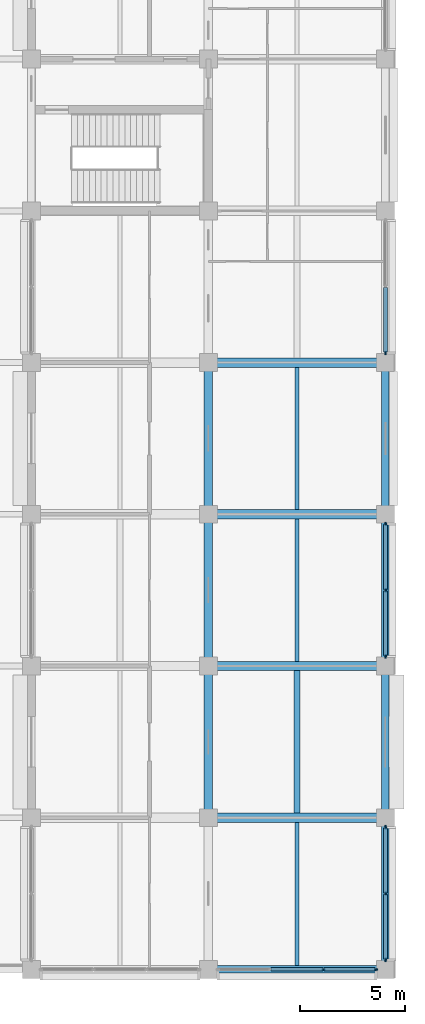
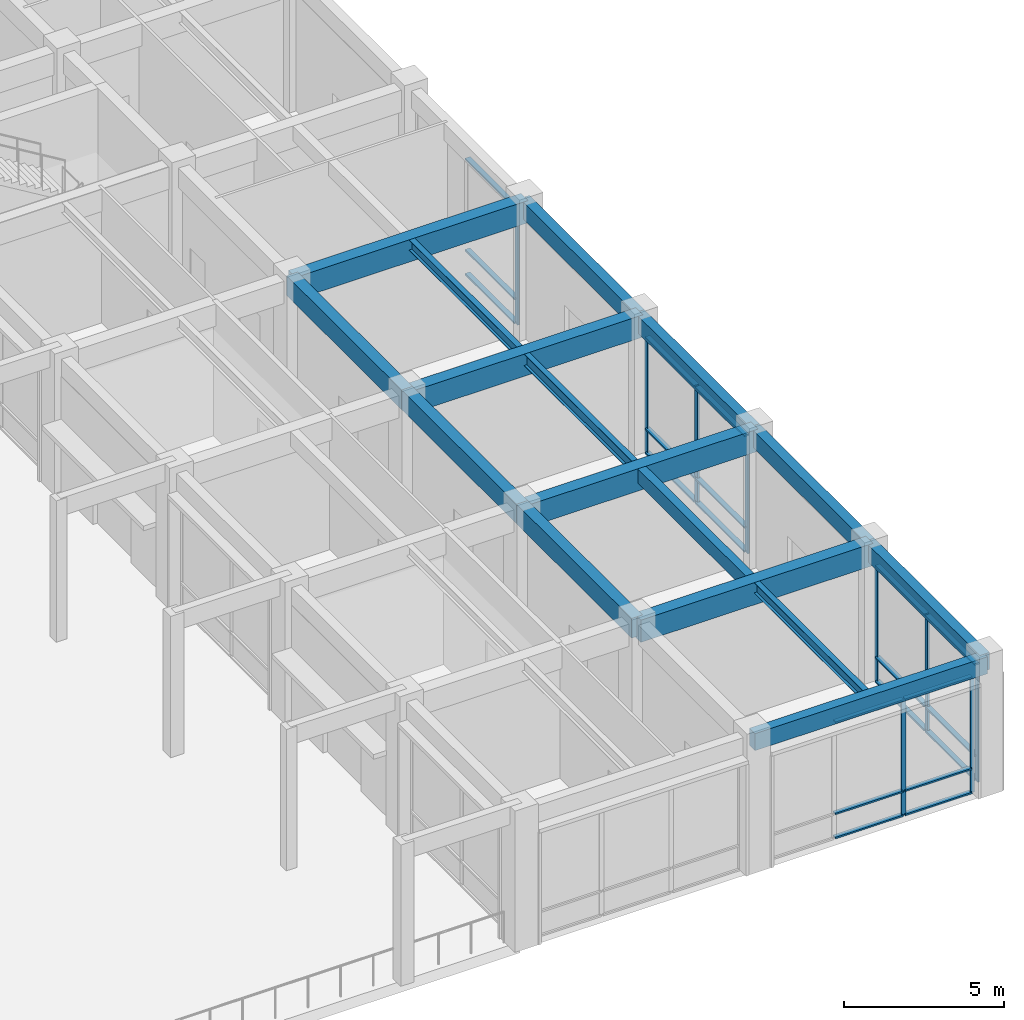
# One storey, part 25 of 73: 30 members, 16 beams, 4 elements without a shape of their own.
"""IFC4 building model written with IfcOpenShell, lengths in metres."""

from ifc_helpers import new_model, si_unit, direction, frame, origin, origin_2d, place, context, subcontext, project, spatial, rectangle, i_section, extrude, material, layer, layer_set, material_profile, profile_set, type_object, element, aggregate, save


model = new_model("IFC4")

# Units and contexts
model_context = context("Model", 3, precision=1e-05, world=origin(), true_north=direction((0.0, 1.0)))
body_context = subcontext(model_context, "Body", "Model", "MODEL_VIEW")
ifc_project = project(units=[si_unit("LENGTHUNIT", "METRE"), si_unit("AREAUNIT", "SQUARE_METRE"), si_unit("VOLUMEUNIT", "CUBIC_METRE"), si_unit("PLANEANGLEUNIT", "RADIAN"), si_unit("MASSUNIT", "GRAM", prefix="KILO")], contexts=[model_context])

# Site, building, storey
site_placement = place(None, origin())
site = spatial("IfcSite", under=ifc_project, at=site_placement, CompositionType="ELEMENT")
building_placement = place(site_placement, origin())
building = spatial("IfcBuilding", under=site, at=building_placement, Name="Chengyuan Square Courthouse", CompositionType="ELEMENT")
storey_placement = place(building_placement, origin())
storey = spatial("IfcBuildingStorey", under=building, at=storey_placement, Name="L01", CompositionType="ELEMENT", Elevation=0.0)

# Beams
ifc_material_1 = material(Name="Concrete C40", Category="concrete")
ifc_material_profile_1 = material_profile(ifc_material_1, rectangle(XDim=0.449951171875, YDim=0.85009765625, at=origin_2d()), Name="RC-BM-450x850")
ifc_profile_set_1 = profile_set([ifc_material_profile_1], Name="Concrete C40")
beam_type_1 = type_object("IfcBeamType", Name="BM-01", PredefinedType="USERDEFINED", material=ifc_profile_set_1)
for number, where, z_axis, x_axis, name in (
    (1, (159.60009765625, 7.199951171875, 4.695068359375), (1.0, 0.0, 0.0), (0.0, 1.0, 0.0), "Girder BM-L01-1648"),
    (2, (159.60009765625, 14.39990234375, 4.695068359375), (1.0, 0.0, 0.0), (0.0, 1.0, 0.0), "Girder BM-L01-1652"),
    (3, (159.60009765625, 21.60009765625, 4.695068359375), (1.0, 0.0, 0.0), (0.0, 1.0, 0.0), "Girder BM-L01-1656"),
    (4, (159.60009765625, 28.800048828125, 4.695068359375), (1.0, 0.0, 0.0), (0.0, 1.0, 0.0), "Girder BM-L01-1660"),
):
    element("IfcBeam", number, at=place(storey_placement, frame(where, z_axis=z_axis, x_axis=x_axis)), inside=storey, type_object=beam_type_1, Name=name, ObjectType="GIRDER", PredefinedType="USERDEFINED", context=body_context, shape_type="SweptSolid", body=[
        extrude(rectangle(XDim=0.449951171875, YDim=0.85009765625, at=origin_2d()), origin(), (0.0, 0.0, 1.0), 8.39990234375),
    ])
ifc_material_profile_2 = material_profile(ifc_material_1, rectangle(XDim=0.39990234375, YDim=0.75, at=origin_2d()), Name="RC-BM-400x750")
ifc_profile_set_2 = profile_set([ifc_material_profile_2], Name="Concrete C40")
beam_type_2 = type_object("IfcBeamType", Name="BM-02", PredefinedType="USERDEFINED", material=ifc_profile_set_2)
beam_1_placement = place(storey_placement, frame((159.60009765625, 7.199951171875, 4.7451171875), z_axis=(0.0, 1.0, 0.0), x_axis=(-1.0, 0.0, 0.0)))
element("IfcBeam", 5, at=beam_1_placement, inside=storey, type_object=beam_type_2, Name="Girder BM-L01-1928", ObjectType="GIRDER", PredefinedType="USERDEFINED", context=body_context, shape_type="SweptSolid", body=[
    extrude(rectangle(XDim=0.39990234375, YDim=0.75, at=origin_2d()), origin(), (0.0, 0.0, 1.0), 7.199951171875),
])
beam_2_placement = place(storey_placement, frame((159.60009765625, 14.39990234375, 4.7451171875), z_axis=(0.0, 1.0, 0.0), x_axis=(-1.0, 0.0, 0.0)))
element("IfcBeam", 6, at=beam_2_placement, inside=storey, type_object=beam_type_2, Name="Girder BM-L01-1929", ObjectType="GIRDER", PredefinedType="USERDEFINED", context=body_context, shape_type="SweptSolid", body=[
    extrude(rectangle(XDim=0.39990234375, YDim=0.75, at=origin_2d()), origin(), (0.0, 0.0, 1.0), 7.2001953125),
])
beam_3_placement = place(storey_placement, frame((159.60009765625, 21.60009765625, 4.7451171875), z_axis=(0.0, 1.0, 0.0), x_axis=(-1.0, 0.0, 0.0)))
element("IfcBeam", 7, at=beam_3_placement, inside=storey, type_object=beam_type_2, Name="Girder BM-L01-1930", ObjectType="GIRDER", PredefinedType="USERDEFINED", context=body_context, shape_type="SweptSolid", body=[
    extrude(rectangle(XDim=0.39990234375, YDim=0.75, at=origin_2d()), origin(), (0.0, 0.0, 1.0), 7.199951171875),
])
ifc_material_profile_3 = material_profile(ifc_material_1, rectangle(XDim=0.35009765625, YDim=0.64990234375, at=origin_2d()), Name="RC-BM-350x650")
ifc_profile_set_3 = profile_set([ifc_material_profile_3], Name="Concrete C40")
beam_type_3 = type_object("IfcBeamType", Name="BM-03", PredefinedType="SPANDREL", material=ifc_profile_set_3)
beam_4_placement = place(storey_placement, frame((159.60009765625, 0.0, 4.794921875), z_axis=(1.0, 0.0, 0.0), x_axis=(0.0, 1.0, 0.0)))
element("IfcBeam", 8, at=beam_4_placement, inside=storey, type_object=beam_type_3, Name="Girder BM-L01-1644", PredefinedType="SPANDREL", context=body_context, shape_type="SweptSolid", body=[
    extrude(rectangle(XDim=0.35009765625, YDim=0.64990234375, at=origin_2d()), origin(), (0.0, 0.0, 1.0), 8.39990234375),
])
for number, where, z_axis, x_axis, name in (
    (9, (168.0, 0.0, 4.794921875), (0.0, 1.0, 0.0), (-1.0, 0.0, 0.0), "Girder BM-L01-1942"),
    (10, (168.0, 7.199951171875, 4.794921875), (0.0, 1.0, 0.0), (-1.0, 0.0, 0.0), "Girder BM-L01-1943"),
):
    element("IfcBeam", number, at=place(storey_placement, frame(where, z_axis=z_axis, x_axis=x_axis)), inside=storey, type_object=beam_type_3, Name=name, PredefinedType="SPANDREL", context=body_context, shape_type="SweptSolid", body=[
        extrude(rectangle(XDim=0.35009765625, YDim=0.64990234375, at=origin_2d()), origin(), (0.0, 0.0, 1.0), 7.199951171875),
    ])
beam_5_placement = place(storey_placement, frame((168.0, 14.39990234375, 4.794921875), z_axis=(0.0, 1.0, 0.0), x_axis=(-1.0, 0.0, 0.0)))
element("IfcBeam", 11, at=beam_5_placement, inside=storey, type_object=beam_type_3, Name="Girder BM-L01-1944", PredefinedType="SPANDREL", context=body_context, shape_type="SweptSolid", body=[
    extrude(rectangle(XDim=0.35009765625, YDim=0.64990234375, at=origin_2d()), origin(), (0.0, 0.0, 1.0), 7.2001953125),
])
beam_6_placement = place(storey_placement, frame((168.0, 21.60009765625, 4.794921875), z_axis=(0.0, 1.0, 0.0), x_axis=(-1.0, 0.0, 0.0)))
element("IfcBeam", 12, at=beam_6_placement, inside=storey, type_object=beam_type_3, Name="Girder BM-L01-1945", PredefinedType="SPANDREL", context=body_context, shape_type="SweptSolid", body=[
    extrude(rectangle(XDim=0.35009765625, YDim=0.64990234375, at=origin_2d()), origin(), (0.0, 0.0, 1.0), 7.199951171875),
])
ifc_material_profile_4 = material_profile(ifc_material_1, rectangle(XDim=0.300048828125, YDim=0.550048828125, at=origin_2d()), Name="RC-BM-300x550")
ifc_profile_set_4 = profile_set([ifc_material_profile_4], Name="Concrete C40")
beam_type_4 = type_object("IfcBeamType", Name="BM-04", PredefinedType="BEAM", material=ifc_profile_set_4)
beam_7_placement = place(storey_placement, frame((163.800048828125, 7.425048828125, 4.844970703125), z_axis=(0.0, 1.0, 0.0), x_axis=(-1.0, 0.0, 0.0)))
element("IfcBeam", 13, at=beam_7_placement, inside=storey, type_object=beam_type_4, Name="Secondary Floor Beam SBM-L01-2057", PredefinedType="BEAM", context=body_context, shape_type="SweptSolid", body=[
    extrude(rectangle(XDim=0.300048828125, YDim=0.550048828125, at=origin_2d()), origin(), (0.0, 0.0, 1.0), 6.75),
])
ifc_material_2 = material(Name="Steel Q355B", Category="steel")
ifc_material_profile_5 = material_profile(ifc_material_2, i_section(OverallWidth=0.199951171875, OverallDepth=0.449951171875, WebThickness=0.009033203125, FlangeThickness=0.013916015625, at=origin_2d()), Name="HN 450x200x9x14")
ifc_profile_set_5 = profile_set([ifc_material_profile_5], Name="Steel Q355B")
beam_type_5 = type_object("IfcBeamType", Name="BM-06", PredefinedType="BEAM", material=ifc_profile_set_5)
beam_8_placement = place(storey_placement, frame((163.800048828125, 14.625, 4.89501953125), z_axis=(0.0, 1.0, 0.0), x_axis=(-1.0, 0.0, 0.0)))
element("IfcBeam", 14, at=beam_8_placement, inside=storey, type_object=beam_type_5, Name="Secondary Floor Beam SBM-L01-2058", PredefinedType="BEAM", context=body_context, shape_type="SweptSolid", body=[
    extrude(i_section(OverallWidth=0.199951171875, OverallDepth=0.449951171875, WebThickness=0.009033203125, FlangeThickness=0.013916015625, at=origin_2d()), origin(), (0.0, 0.0, 1.0), 6.75),
])
ifc_material_profile_6 = material_profile(ifc_material_2, i_section(OverallWidth=0.199951171875, OverallDepth=0.39990234375, WebThickness=0.008056640625, FlangeThickness=0.012939453125, at=origin_2d()), Name="HN 400x200x8x13")
ifc_profile_set_6 = profile_set([ifc_material_profile_6], Name="Steel Q355B")
beam_type_6 = type_object("IfcBeamType", Name="BM-07", PredefinedType="BEAM", material=ifc_profile_set_6)
beam_9_placement = place(storey_placement, frame((163.800048828125, 0.175048828125, 4.919921875), z_axis=(0.0, 1.0, 0.0), x_axis=(-1.0, 0.0, 0.0)))
element("IfcBeam", 15, at=beam_9_placement, inside=storey, type_object=beam_type_6, Name="Secondary Floor Beam SBM-L01-2056", PredefinedType="BEAM", context=body_context, shape_type="SweptSolid", body=[
    extrude(i_section(OverallWidth=0.199951171875, OverallDepth=0.39990234375, WebThickness=0.008056640625, FlangeThickness=0.012939453125, at=origin_2d()), origin(), (0.0, 0.0, 1.0), 6.800048828125),
])
beam_10_placement = place(storey_placement, frame((163.800048828125, 21.824951171875, 4.919921875), z_axis=(0.0, 1.0, 0.0), x_axis=(-1.0, 0.0, 0.0)))
element("IfcBeam", 16, at=beam_10_placement, inside=storey, type_object=beam_type_6, Name="Secondary Floor Beam SBM-L01-2059", PredefinedType="BEAM", context=body_context, shape_type="SweptSolid", body=[
    extrude(i_section(OverallWidth=0.199951171875, OverallDepth=0.39990234375, WebThickness=0.008056640625, FlangeThickness=0.012939453125, at=origin_2d()), origin(), (0.0, 0.0, 1.0), 6.75),
])

# Curtain wall, members
ifc_material_3 = material(Name="Unitised Aluminium and Triple Low-E Glass", Category="aluminium")
ifc_layer_1 = layer(ifc_material_3, 0.159912109375)
ifc_layer_set_1 = layer_set([ifc_layer_1], Name="Unitised Aluminium and Triple Low-E Glass")
curtain_wall_type_1 = type_object("IfcCurtainWallType", Name="CW-01", PredefinedType="USERDEFINED", material=ifc_layer_set_1)
curtain_wall_1_placement = place(storey_placement, origin())
curtain_wall_1 = element("IfcCurtainWall", 17, at=curtain_wall_1_placement, inside=storey, type_object=curtain_wall_type_1, Name="Unitised Curtain Wall CW-L01-035", ObjectType="UNITISED CURTAIN WALL", PredefinedType="USERDEFINED")
ifc_material_4 = material(Name="Aluminium 6063-T6 Frame", Category="aluminium")
ifc_material_profile_7 = material_profile(ifc_material_4, rectangle(XDim=0.06005859375, YDim=0.159912109375, at=origin_2d()), Name="CW-MUL-60x160")
ifc_profile_set_7 = profile_set([ifc_material_profile_7], Name="Aluminium 6063-T6 Frame")
member_type_1 = type_object("IfcMemberType", Name="CWM-01", PredefinedType="MULLION", material=ifc_profile_set_7)
member_1_placement = place(storey_placement, frame((165.058349609375, 0.0, 0.0), z_axis=(0.0, 0.0, 1.0), x_axis=(0.0, 1.0, 0.0)))
member_1 = element("IfcMember", 18, at=member_1_placement, type_object=member_type_1, Name="CW-01 mullion 3", PredefinedType="MULLION", context=body_context, shape_type="SweptSolid", body=[
    extrude(rectangle(XDim=0.06005859375, YDim=0.159912109375, at=origin_2d()), origin(), (0.0, 0.0, 1.0), 4.469970703125),
])
member_2_placement = place(storey_placement, frame((167.544921875, 0.0, 0.0), z_axis=(0.0, 0.0, 1.0), x_axis=(0.0, 1.0, 0.0)))
member_2 = element("IfcMember", 19, at=member_2_placement, type_object=member_type_1, Name="CW-01 mullion 4", PredefinedType="MULLION", context=body_context, shape_type="SweptSolid", body=[
    extrude(rectangle(XDim=0.06005859375, YDim=0.159912109375, at=origin_2d()), origin(), (0.0, 0.0, 1.0), 4.469970703125),
])

ifc_layer_2 = layer(ifc_material_3, 0.179931640625)
ifc_layer_set_2 = layer_set([ifc_layer_2], Name="Unitised Aluminium and Triple Low-E Glass")
curtain_wall_type_2 = type_object("IfcCurtainWallType", Name="CW-14", PredefinedType="USERDEFINED", material=ifc_layer_set_2)
curtain_wall_2_placement = place(storey_placement, origin())
curtain_wall_2 = element("IfcCurtainWall", 20, at=curtain_wall_2_placement, inside=storey, type_object=curtain_wall_type_2, Name="Unitised Curtain Wall CW-L01-036", ObjectType="UNITISED CURTAIN WALL", PredefinedType="USERDEFINED")
ifc_material_profile_8 = material_profile(ifc_material_4, rectangle(XDim=0.06494140625, YDim=0.179931640625, at=origin_2d()), Name="CW-MUL-65x180")
ifc_profile_set_8 = profile_set([ifc_material_profile_8], Name="Aluminium 6063-T6 Frame")
member_type_2 = type_object("IfcMemberType", Name="CWM-02", PredefinedType="MULLION", material=ifc_profile_set_8)
member_3_placement = place(storey_placement, frame((168.0, 0.45751953125, 0.0), z_axis=(0.0, 0.0, 1.0), x_axis=(-1.0, 0.0, 0.0)))
member_3 = element("IfcMember", 21, at=member_3_placement, type_object=member_type_2, Name="CW-14 mullion 1", PredefinedType="MULLION", context=body_context, shape_type="SweptSolid", body=[
    extrude(rectangle(XDim=0.06494140625, YDim=0.179931640625, at=origin_2d()), origin(), (0.0, 0.0, 1.0), 4.469970703125),
])
member_4_placement = place(storey_placement, frame((168.0, 3.60009765625, 0.0), z_axis=(0.0, 0.0, 1.0), x_axis=(-1.0, 0.0, 0.0)))
member_4 = element("IfcMember", 22, at=member_4_placement, type_object=member_type_2, Name="CW-14 mullion 2", PredefinedType="MULLION", context=body_context, shape_type="SweptSolid", body=[
    extrude(rectangle(XDim=0.06494140625, YDim=0.179931640625, at=origin_2d()), origin(), (0.0, 0.0, 1.0), 4.469970703125),
])
member_5_placement = place(storey_placement, frame((168.0, 6.742431640625, 0.0), z_axis=(0.0, 0.0, 1.0), x_axis=(-1.0, 0.0, 0.0)))
member_5 = element("IfcMember", 23, at=member_5_placement, type_object=member_type_2, Name="CW-14 mullion 3", PredefinedType="MULLION", context=body_context, shape_type="SweptSolid", body=[
    extrude(rectangle(XDim=0.06494140625, YDim=0.179931640625, at=origin_2d()), origin(), (0.0, 0.0, 1.0), 4.469970703125),
])

curtain_wall_3_placement = place(storey_placement, origin())
curtain_wall_3 = element("IfcCurtainWall", 24, at=curtain_wall_3_placement, inside=storey, type_object=curtain_wall_type_2, Name="Unitised Curtain Wall CW-L01-037", ObjectType="UNITISED CURTAIN WALL", PredefinedType="USERDEFINED")
member_6_placement = place(storey_placement, frame((168.0, 14.857421875, 0.0), z_axis=(0.0, 0.0, 1.0), x_axis=(-1.0, 0.0, 0.0)))
member_6 = element("IfcMember", 25, at=member_6_placement, type_object=member_type_2, Name="CW-14 mullion 1", PredefinedType="MULLION", context=body_context, shape_type="SweptSolid", body=[
    extrude(rectangle(XDim=0.06494140625, YDim=0.179931640625, at=origin_2d()), origin(), (0.0, 0.0, 1.0), 4.469970703125),
])
member_7_placement = place(storey_placement, frame((168.0, 18.0, 0.0), z_axis=(0.0, 0.0, 1.0), x_axis=(-1.0, 0.0, 0.0)))
member_7 = element("IfcMember", 26, at=member_7_placement, type_object=member_type_2, Name="CW-14 mullion 2", PredefinedType="MULLION", context=body_context, shape_type="SweptSolid", body=[
    extrude(rectangle(XDim=0.06494140625, YDim=0.179931640625, at=origin_2d()), origin(), (0.0, 0.0, 1.0), 4.469970703125),
])
member_8_placement = place(storey_placement, frame((168.0, 21.142578125, 0.0), z_axis=(0.0, 0.0, 1.0), x_axis=(-1.0, 0.0, 0.0)))
member_8 = element("IfcMember", 27, at=member_8_placement, type_object=member_type_2, Name="CW-14 mullion 3", PredefinedType="MULLION", context=body_context, shape_type="SweptSolid", body=[
    extrude(rectangle(XDim=0.06494140625, YDim=0.179931640625, at=origin_2d()), origin(), (0.0, 0.0, 1.0), 4.469970703125),
])

# Curtain wall, member
curtain_wall_4_placement = place(storey_placement, origin())
curtain_wall_4 = element("IfcCurtainWall", 28, at=curtain_wall_4_placement, inside=storey, type_object=curtain_wall_type_2, Name="Unitised Curtain Wall CW-L01-038", ObjectType="UNITISED CURTAIN WALL", PredefinedType="USERDEFINED")
member_9_placement = place(storey_placement, frame((168.0, 29.257568359375, 0.0), z_axis=(0.0, 0.0, 1.0), x_axis=(-1.0, 0.0, 0.0)))
member_9 = element("IfcMember", 29, at=member_9_placement, type_object=member_type_2, Name="CW-14 mullion 1", PredefinedType="MULLION", context=body_context, shape_type="SweptSolid", body=[
    extrude(rectangle(XDim=0.06494140625, YDim=0.179931640625, at=origin_2d()), origin(), (0.0, 0.0, 1.0), 4.469970703125),
])

# Member
ifc_material_profile_9 = material_profile(ifc_material_4, rectangle(XDim=0.159912109375, YDim=0.06005859375, at=origin_2d()), Name="CW-TRN-60x120")
ifc_profile_set_9 = profile_set([ifc_material_profile_9], Name="Aluminium 6063-T6 Frame")
member_type_3 = type_object("IfcMemberType", Name="CWT-01", PredefinedType="USERDEFINED", material=ifc_profile_set_9)
member_10_placement = place(storey_placement, frame((162.57177734375, 0.0, 0.030029296875), z_axis=(1.0, 0.0, 0.0), x_axis=(0.0, 1.0, 0.0)))
member_10 = element("IfcMember", 30, at=member_10_placement, type_object=member_type_3, Name="CW-01 transom 2.1", ObjectType="TRANSOM", PredefinedType="USERDEFINED", context=body_context, shape_type="SweptSolid", body=[
    extrude(rectangle(XDim=0.159912109375, YDim=0.06005859375, at=origin_2d()), origin(), (0.0, 0.0, 1.0), 2.45654296875),
])

member_11_placement = place(storey_placement, frame((162.57177734375, 0.0, 0.949951171875), z_axis=(1.0, 0.0, 0.0), x_axis=(0.0, 1.0, 0.0)))
member_11 = element("IfcMember", 31, at=member_11_placement, type_object=member_type_3, Name="CW-01 transom 2.2", ObjectType="TRANSOM", PredefinedType="USERDEFINED", context=body_context, shape_type="SweptSolid", body=[
    extrude(rectangle(XDim=0.159912109375, YDim=0.06005859375, at=origin_2d()), origin(), (0.0, 0.0, 1.0), 2.45654296875),
])

member_12_placement = place(storey_placement, frame((162.57177734375, 0.0, 4.43994140625), z_axis=(1.0, 0.0, 0.0), x_axis=(0.0, 1.0, 0.0)))
member_12 = element("IfcMember", 32, at=member_12_placement, type_object=member_type_3, Name="CW-01 transom 2.3", ObjectType="TRANSOM", PredefinedType="USERDEFINED", context=body_context, shape_type="SweptSolid", body=[
    extrude(rectangle(XDim=0.159912109375, YDim=0.06005859375, at=origin_2d()), origin(), (0.0, 0.0, 1.0), 2.45654296875),
])

member_13_placement = place(storey_placement, frame((165.08837890625, 0.0, 0.030029296875), z_axis=(1.0, 0.0, 0.0), x_axis=(0.0, 1.0, 0.0)))
member_13 = element("IfcMember", 33, at=member_13_placement, type_object=member_type_3, Name="CW-01 transom 3.1", ObjectType="TRANSOM", PredefinedType="USERDEFINED", context=body_context, shape_type="SweptSolid", body=[
    extrude(rectangle(XDim=0.159912109375, YDim=0.06005859375, at=origin_2d()), origin(), (0.0, 0.0, 1.0), 2.426513671875),
])

member_14_placement = place(storey_placement, frame((165.08837890625, 0.0, 0.949951171875), z_axis=(1.0, 0.0, 0.0), x_axis=(0.0, 1.0, 0.0)))
member_14 = element("IfcMember", 34, at=member_14_placement, type_object=member_type_3, Name="CW-01 transom 3.2", ObjectType="TRANSOM", PredefinedType="USERDEFINED", context=body_context, shape_type="SweptSolid", body=[
    extrude(rectangle(XDim=0.159912109375, YDim=0.06005859375, at=origin_2d()), origin(), (0.0, 0.0, 1.0), 2.426513671875),
])

member_15_placement = place(storey_placement, frame((165.08837890625, 0.0, 4.43994140625), z_axis=(1.0, 0.0, 0.0), x_axis=(0.0, 1.0, 0.0)))
member_15 = element("IfcMember", 35, at=member_15_placement, type_object=member_type_3, Name="CW-01 transom 3.3", ObjectType="TRANSOM", PredefinedType="USERDEFINED", context=body_context, shape_type="SweptSolid", body=[
    extrude(rectangle(XDim=0.159912109375, YDim=0.06005859375, at=origin_2d()), origin(), (0.0, 0.0, 1.0), 2.426513671875),
])

aggregate(curtain_wall_1, [member_1, member_2, member_10, member_11, member_12, member_13, member_14, member_15])

ifc_material_profile_10 = material_profile(ifc_material_4, rectangle(XDim=0.179931640625, YDim=0.06494140625, at=origin_2d()), Name="CW-TRN-65x140")
ifc_profile_set_10 = profile_set([ifc_material_profile_10], Name="Aluminium 6063-T6 Frame")
member_type_4 = type_object("IfcMemberType", Name="CWT-02", PredefinedType="USERDEFINED", material=ifc_profile_set_10)
member_16_placement = place(storey_placement, frame((168.0, 0.489990234375, 0.032470703125), z_axis=(0.0, 1.0, 0.0), x_axis=(-1.0, 0.0, 0.0)))
member_16 = element("IfcMember", 36, at=member_16_placement, type_object=member_type_4, Name="CW-14 transom 1.1", ObjectType="TRANSOM", PredefinedType="USERDEFINED", context=body_context, shape_type="SweptSolid", body=[
    extrude(rectangle(XDim=0.179931640625, YDim=0.06494140625, at=origin_2d()), origin(), (0.0, 0.0, 1.0), 3.077392578125),
])

member_17_placement = place(storey_placement, frame((168.0, 0.489990234375, 0.949951171875), z_axis=(0.0, 1.0, 0.0), x_axis=(-1.0, 0.0, 0.0)))
member_17 = element("IfcMember", 37, at=member_17_placement, type_object=member_type_4, Name="CW-14 transom 1.2", ObjectType="TRANSOM", PredefinedType="USERDEFINED", context=body_context, shape_type="SweptSolid", body=[
    extrude(rectangle(XDim=0.179931640625, YDim=0.06494140625, at=origin_2d()), origin(), (0.0, 0.0, 1.0), 3.077392578125),
])

member_18_placement = place(storey_placement, frame((168.0, 0.489990234375, 4.4375), z_axis=(0.0, 1.0, 0.0), x_axis=(-1.0, 0.0, 0.0)))
member_18 = element("IfcMember", 38, at=member_18_placement, type_object=member_type_4, Name="CW-14 transom 1.3", ObjectType="TRANSOM", PredefinedType="USERDEFINED", context=body_context, shape_type="SweptSolid", body=[
    extrude(rectangle(XDim=0.179931640625, YDim=0.06494140625, at=origin_2d()), origin(), (0.0, 0.0, 1.0), 3.077392578125),
])

member_19_placement = place(storey_placement, frame((168.0, 3.632568359375, 0.032470703125), z_axis=(0.0, 1.0, 0.0), x_axis=(-1.0, 0.0, 0.0)))
member_19 = element("IfcMember", 39, at=member_19_placement, type_object=member_type_4, Name="CW-14 transom 2.1", ObjectType="TRANSOM", PredefinedType="USERDEFINED", context=body_context, shape_type="SweptSolid", body=[
    extrude(rectangle(XDim=0.179931640625, YDim=0.06494140625, at=origin_2d()), origin(), (0.0, 0.0, 1.0), 3.077392578125),
])

member_20_placement = place(storey_placement, frame((168.0, 3.632568359375, 0.949951171875), z_axis=(0.0, 1.0, 0.0), x_axis=(-1.0, 0.0, 0.0)))
member_20 = element("IfcMember", 40, at=member_20_placement, type_object=member_type_4, Name="CW-14 transom 2.2", ObjectType="TRANSOM", PredefinedType="USERDEFINED", context=body_context, shape_type="SweptSolid", body=[
    extrude(rectangle(XDim=0.179931640625, YDim=0.06494140625, at=origin_2d()), origin(), (0.0, 0.0, 1.0), 3.077392578125),
])

member_21_placement = place(storey_placement, frame((168.0, 3.632568359375, 4.4375), z_axis=(0.0, 1.0, 0.0), x_axis=(-1.0, 0.0, 0.0)))
member_21 = element("IfcMember", 41, at=member_21_placement, type_object=member_type_4, Name="CW-14 transom 2.3", ObjectType="TRANSOM", PredefinedType="USERDEFINED", context=body_context, shape_type="SweptSolid", body=[
    extrude(rectangle(XDim=0.179931640625, YDim=0.06494140625, at=origin_2d()), origin(), (0.0, 0.0, 1.0), 3.077392578125),
])

aggregate(curtain_wall_2, [member_3, member_4, member_5, member_16, member_17, member_18, member_19, member_20, member_21])

member_22_placement = place(storey_placement, frame((168.0, 14.889892578125, 0.032470703125), z_axis=(0.0, 1.0, 0.0), x_axis=(-1.0, 0.0, 0.0)))
member_22 = element("IfcMember", 42, at=member_22_placement, type_object=member_type_4, Name="CW-14 transom 1.1", ObjectType="TRANSOM", PredefinedType="USERDEFINED", context=body_context, shape_type="SweptSolid", body=[
    extrude(rectangle(XDim=0.179931640625, YDim=0.06494140625, at=origin_2d()), origin(), (0.0, 0.0, 1.0), 3.07763671875),
])

member_23_placement = place(storey_placement, frame((168.0, 14.889892578125, 0.949951171875), z_axis=(0.0, 1.0, 0.0), x_axis=(-1.0, 0.0, 0.0)))
member_23 = element("IfcMember", 43, at=member_23_placement, type_object=member_type_4, Name="CW-14 transom 1.2", ObjectType="TRANSOM", PredefinedType="USERDEFINED", context=body_context, shape_type="SweptSolid", body=[
    extrude(rectangle(XDim=0.179931640625, YDim=0.06494140625, at=origin_2d()), origin(), (0.0, 0.0, 1.0), 3.07763671875),
])

member_24_placement = place(storey_placement, frame((168.0, 14.889892578125, 4.4375), z_axis=(0.0, 1.0, 0.0), x_axis=(-1.0, 0.0, 0.0)))
member_24 = element("IfcMember", 44, at=member_24_placement, type_object=member_type_4, Name="CW-14 transom 1.3", ObjectType="TRANSOM", PredefinedType="USERDEFINED", context=body_context, shape_type="SweptSolid", body=[
    extrude(rectangle(XDim=0.179931640625, YDim=0.06494140625, at=origin_2d()), origin(), (0.0, 0.0, 1.0), 3.07763671875),
])

member_25_placement = place(storey_placement, frame((168.0, 18.032470703125, 0.032470703125), z_axis=(0.0, 1.0, 0.0), x_axis=(-1.0, 0.0, 0.0)))
member_25 = element("IfcMember", 45, at=member_25_placement, type_object=member_type_4, Name="CW-14 transom 2.1", ObjectType="TRANSOM", PredefinedType="USERDEFINED", context=body_context, shape_type="SweptSolid", body=[
    extrude(rectangle(XDim=0.179931640625, YDim=0.06494140625, at=origin_2d()), origin(), (0.0, 0.0, 1.0), 3.07763671875),
])

member_26_placement = place(storey_placement, frame((168.0, 18.032470703125, 0.949951171875), z_axis=(0.0, 1.0, 0.0), x_axis=(-1.0, 0.0, 0.0)))
member_26 = element("IfcMember", 46, at=member_26_placement, type_object=member_type_4, Name="CW-14 transom 2.2", ObjectType="TRANSOM", PredefinedType="USERDEFINED", context=body_context, shape_type="SweptSolid", body=[
    extrude(rectangle(XDim=0.179931640625, YDim=0.06494140625, at=origin_2d()), origin(), (0.0, 0.0, 1.0), 3.07763671875),
])

member_27_placement = place(storey_placement, frame((168.0, 18.032470703125, 4.4375), z_axis=(0.0, 1.0, 0.0), x_axis=(-1.0, 0.0, 0.0)))
member_27 = element("IfcMember", 47, at=member_27_placement, type_object=member_type_4, Name="CW-14 transom 2.3", ObjectType="TRANSOM", PredefinedType="USERDEFINED", context=body_context, shape_type="SweptSolid", body=[
    extrude(rectangle(XDim=0.179931640625, YDim=0.06494140625, at=origin_2d()), origin(), (0.0, 0.0, 1.0), 3.07763671875),
])

aggregate(curtain_wall_3, [member_6, member_7, member_8, member_22, member_23, member_24, member_25, member_26, member_27])

member_28_placement = place(storey_placement, frame((168.0, 29.2900390625, 0.032470703125), z_axis=(0.0, 1.0, 0.0), x_axis=(-1.0, 0.0, 0.0)))
member_28 = element("IfcMember", 48, at=member_28_placement, type_object=member_type_4, Name="CW-14 transom 1.1", ObjectType="TRANSOM", PredefinedType="USERDEFINED", context=body_context, shape_type="SweptSolid", body=[
    extrude(rectangle(XDim=0.179931640625, YDim=0.06494140625, at=origin_2d()), origin(), (0.0, 0.0, 1.0), 3.077392578125),
])

member_29_placement = place(storey_placement, frame((168.0, 29.2900390625, 0.949951171875), z_axis=(0.0, 1.0, 0.0), x_axis=(-1.0, 0.0, 0.0)))
member_29 = element("IfcMember", 49, at=member_29_placement, type_object=member_type_4, Name="CW-14 transom 1.2", ObjectType="TRANSOM", PredefinedType="USERDEFINED", context=body_context, shape_type="SweptSolid", body=[
    extrude(rectangle(XDim=0.179931640625, YDim=0.06494140625, at=origin_2d()), origin(), (0.0, 0.0, 1.0), 3.077392578125),
])

member_30_placement = place(storey_placement, frame((168.0, 29.2900390625, 4.4375), z_axis=(0.0, 1.0, 0.0), x_axis=(-1.0, 0.0, 0.0)))
member_30 = element("IfcMember", 50, at=member_30_placement, type_object=member_type_4, Name="CW-14 transom 1.3", ObjectType="TRANSOM", PredefinedType="USERDEFINED", context=body_context, shape_type="SweptSolid", body=[
    extrude(rectangle(XDim=0.179931640625, YDim=0.06494140625, at=origin_2d()), origin(), (0.0, 0.0, 1.0), 3.077392578125),
])

aggregate(curtain_wall_4, [member_9, member_28, member_29, member_30])

save(model, "model.ifc")
